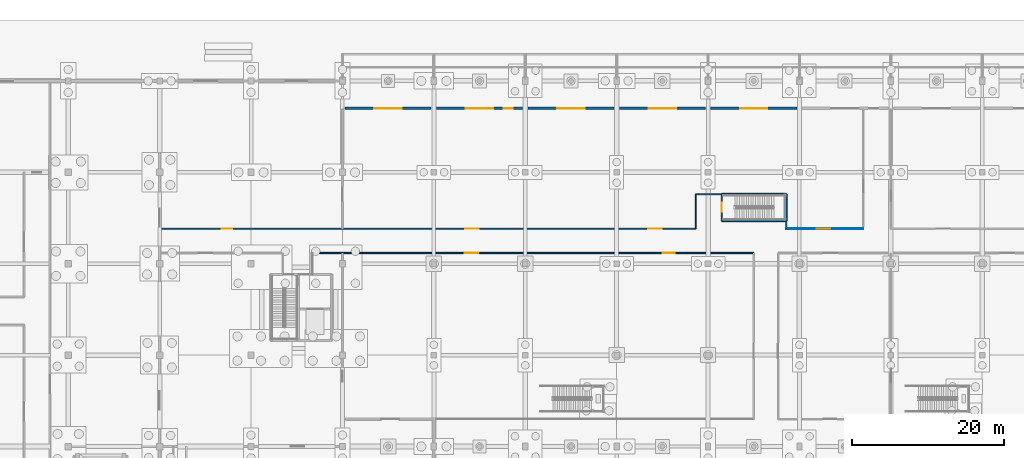
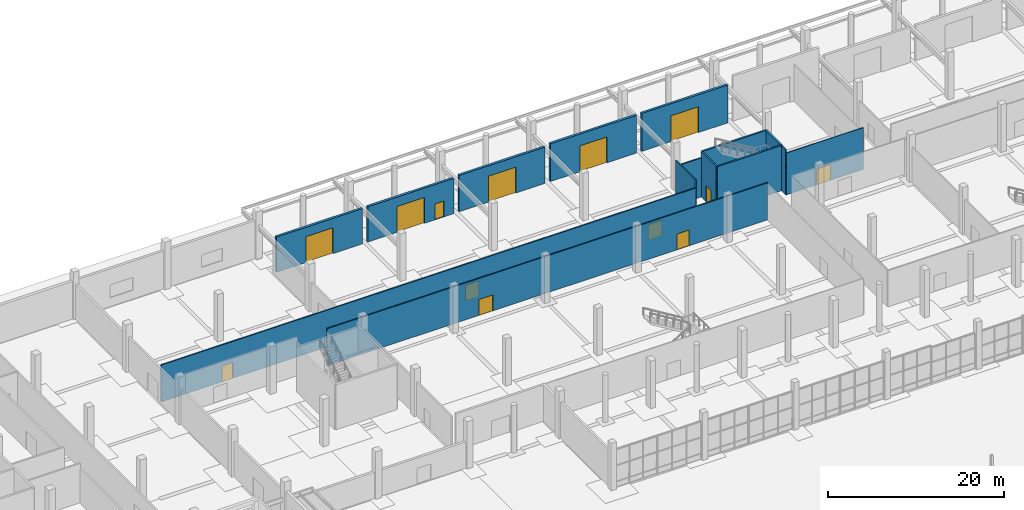
# One storey, part 95 of 117: 15 walls, 13 doors, 13 openings.
"""IFC4 building model written with IfcOpenShell, lengths in metres."""

from ifc_helpers import new_model, si_unit, direction, frame, frame_2d, origin, place, context, subcontext, project, spatial, rectangle, extrude, material, layer, layer_set, type_object, element, fill, save


model = new_model("IFC4")

# Units and contexts
model_context = context("Model", 3, precision=1e-05, world=origin(), true_north=direction((0.0, 1.0)))
body_context = subcontext(model_context, "Body", "Model", "MODEL_VIEW")
ifc_project = project(units=[si_unit("LENGTHUNIT", "METRE"), si_unit("AREAUNIT", "SQUARE_METRE"), si_unit("VOLUMEUNIT", "CUBIC_METRE"), si_unit("PLANEANGLEUNIT", "RADIAN"), si_unit("MASSUNIT", "GRAM", prefix="KILO")], contexts=[model_context])

# Site, building, storey
site_placement = place(None, origin())
site = spatial("IfcSite", under=ifc_project, at=site_placement, CompositionType="ELEMENT")
building_placement = place(site_placement, origin())
building = spatial("IfcBuilding", under=site, at=building_placement, Name="Kamomehara Wholesale Market", CompositionType="ELEMENT")
storey_placement = place(building_placement, origin())
storey = spatial("IfcBuildingStorey", under=building, at=storey_placement, Name="L00", CompositionType="ELEMENT", Elevation=0.0)

# Wall, opening, door
ifc_material_1 = material(Name="Precast concrete Fc45 (C40/50)", Category="concrete")
ifc_layer_1 = layer(ifc_material_1, 0.300048828125)
ifc_layer_set_1 = layer_set([ifc_layer_1], Name="Precast concrete Fc45 (C40/50)")
wall_type_1 = type_object("IfcWallType", Name="EW-PC-300", PredefinedType="SOLIDWALL", material=ifc_layer_set_1)
wall_1_placement = place(storey_placement, frame((60.35009765625, 152.39990234375, 0.0), z_axis=(0.0, 0.0, 1.0), x_axis=(1.0, 0.0, 0.0)))
wall_1 = element("IfcWall", 1, at=wall_1_placement, inside=storey, type_object=wall_type_1, Name="Exterior wall EW-PC-300 58", PredefinedType="SOLIDWALL", context=body_context, shape_type="SweptSolid", body=[
    extrude(rectangle(XDim=11.2998046875, YDim=0.300048828125, at=frame_2d((5.64990234375, 0.0))), origin(), (0.0, 0.0, 1.0), 4.89794921875),
])
opening_1_placement = place(wall_1_placement, frame((3.85009765625, 0.0, 0.0)))
opening_1 = element("IfcOpeningElement", 2, at=opening_1_placement, cuts=wall_1, Name="Opening DK-09", PredefinedType="OPENING", context=body_context, shape_type="SweptSolid", body=[
    extrude(rectangle(XDim=3.60009765625, YDim=3.60009765625, at=frame_2d((1.800048828125, 1.800048828125))), frame((0.0, 0.1650390625, 0.0), z_axis=(0.0, -1.0, 0.0), x_axis=(1.0, 0.0, 0.0)), (0.0, 0.0, 1.0), 0.329833984375),
])
ifc_material_2 = material(Name="Steel SN400B", Category="steel")
door_type_1 = type_object("IfcDoorType", Name="EDR-DK-4000x4200", OperationType="ROLLINGUP", PredefinedType="GATE", material=ifc_material_2)
door_1_placement = place(opening_1_placement, origin())
door_1 = element("IfcDoor", 3, at=door_1_placement, inside=storey, type_object=door_type_1, Name="Produce dock roller shutter DK-09", OperationType="ROLLINGUP", OverallHeight=3.60009765625, OverallWidth=3.60009765625, PredefinedType="GATE", context=body_context, shape_type="SweptSolid", body=[
    extrude(rectangle(XDim=3.60009765625, YDim=3.60009765625, at=frame_2d((1.800048828125, 1.800048828125))), frame((0.0, 0.02490234375, 0.0), z_axis=(0.0, -1.0, 0.0), x_axis=(1.0, 0.0, 0.0)), (0.0, 0.0, 1.0), 0.050048828125),
])
fill(opening_1, door_1)

# Wall, openings, doors
wall_2_placement = place(storey_placement, frame((72.35009765625, 152.39990234375, 0.0), z_axis=(0.0, 0.0, 1.0), x_axis=(1.0, 0.0, 0.0)))
wall_2 = element("IfcWall", 4, at=wall_2_placement, inside=storey, type_object=wall_type_1, Name="Exterior wall EW-PC-300 59", PredefinedType="SOLIDWALL", context=body_context, shape_type="SweptSolid", body=[
    extrude(rectangle(XDim=11.2998046875, YDim=0.300048828125, at=frame_2d((5.64990234375, 0.0))), origin(), (0.0, 0.0, 1.0), 4.89794921875),
])
opening_2_placement = place(wall_2_placement, frame((3.85009765625, 0.0, 0.0)))
opening_2 = element("IfcOpeningElement", 5, at=opening_2_placement, cuts=wall_2, Name="Opening DK-10", PredefinedType="OPENING", context=body_context, shape_type="SweptSolid", body=[
    extrude(rectangle(XDim=3.60009765625, YDim=3.60009765625, at=frame_2d((1.800048828125, 1.800048828125))), frame((0.0, 0.1650390625, 0.0), z_axis=(0.0, -1.0, 0.0), x_axis=(1.0, 0.0, 0.0)), (0.0, 0.0, 1.0), 0.329833984375),
])
opening_3_placement = place(wall_2_placement, frame((8.800048828125, 0.0, 0.0)))
opening_3 = element("IfcOpeningElement", 6, at=opening_3_placement, cuts=wall_2, Name="Opening ED-L00-15", PredefinedType="OPENING", context=body_context, shape_type="SweptSolid", body=[
    extrude(rectangle(XDim=1.199951171875, YDim=2.199951171875, at=frame_2d((0.60009765625, 1.10009765625))), frame((0.0, 0.1650390625, 0.0), z_axis=(0.0, -1.0, 0.0), x_axis=(1.0, 0.0, 0.0)), (0.0, 0.0, 1.0), 0.329833984375),
])
ifc_material_3 = material(Name="Steel SN400B", Category="steel")
door_type_2 = type_object("IfcDoorType", Name="EDR-1200x2200", OperationType="NOTDEFINED", PredefinedType="DOOR", material=ifc_material_3)
door_2_placement = place(opening_3_placement, origin())
door_2 = element("IfcDoor", 7, at=door_2_placement, inside=storey, type_object=door_type_2, Name="Produce hall north exit door ED-L00-15", OperationType="SINGLE_SWING_RIGHT", OverallHeight=2.199951171875, OverallWidth=1.199951171875, PredefinedType="DOOR", context=body_context, shape_type="SweptSolid", body=[
    extrude(rectangle(XDim=1.199951171875, YDim=2.199951171875, at=frame_2d((0.60009765625, 1.10009765625))), frame((0.0, 0.02490234375, 0.0), z_axis=(0.0, -1.0, 0.0), x_axis=(1.0, 0.0, 0.0)), (0.0, 0.0, 1.0), 0.050048828125),
])
fill(opening_3, door_2)
door_3_placement = place(opening_2_placement, origin())
door_3 = element("IfcDoor", 8, at=door_3_placement, inside=storey, type_object=door_type_1, Name="Produce dock roller shutter DK-10", OperationType="ROLLINGUP", OverallHeight=3.60009765625, OverallWidth=3.60009765625, PredefinedType="GATE", context=body_context, shape_type="SweptSolid", body=[
    extrude(rectangle(XDim=3.60009765625, YDim=3.60009765625, at=frame_2d((1.800048828125, 1.800048828125))), frame((0.0, 0.02490234375, 0.0), z_axis=(0.0, -1.0, 0.0), x_axis=(1.0, 0.0, 0.0)), (0.0, 0.0, 1.0), 0.050048828125),
])
fill(opening_2, door_3)

# Wall, opening, door
wall_3_placement = place(storey_placement, frame((84.35009765625, 152.39990234375, 0.0), z_axis=(0.0, 0.0, 1.0), x_axis=(1.0, 0.0, 0.0)))
wall_3 = element("IfcWall", 9, at=wall_3_placement, inside=storey, type_object=wall_type_1, Name="Exterior wall EW-PC-300 60", PredefinedType="SOLIDWALL", context=body_context, shape_type="SweptSolid", body=[
    extrude(rectangle(XDim=11.2998046875, YDim=0.300048828125, at=frame_2d((5.64990234375, 0.0))), origin(), (0.0, 0.0, 1.0), 5.048095703125),
])
opening_4_placement = place(wall_3_placement, frame((3.85009765625, 0.0, 0.0)))
opening_4 = element("IfcOpeningElement", 10, at=opening_4_placement, cuts=wall_3, Name="Opening DK-11", PredefinedType="OPENING", context=body_context, shape_type="SweptSolid", body=[
    extrude(rectangle(XDim=3.60009765625, YDim=3.60009765625, at=frame_2d((1.800048828125, 1.800048828125))), frame((0.0, 0.1650390625, 0.0), z_axis=(0.0, -1.0, 0.0), x_axis=(1.0, 0.0, 0.0)), (0.0, 0.0, 1.0), 0.329833984375),
])
door_4_placement = place(opening_4_placement, origin())
door_4 = element("IfcDoor", 11, at=door_4_placement, inside=storey, type_object=door_type_1, Name="Produce dock roller shutter DK-11", OperationType="ROLLINGUP", OverallHeight=3.60009765625, OverallWidth=3.60009765625, PredefinedType="GATE", context=body_context, shape_type="SweptSolid", body=[
    extrude(rectangle(XDim=3.60009765625, YDim=3.60009765625, at=frame_2d((1.800048828125, 1.800048828125))), frame((0.0, 0.02490234375, 0.0), z_axis=(0.0, -1.0, 0.0), x_axis=(1.0, 0.0, 0.0)), (0.0, 0.0, 1.0), 0.050048828125),
])
fill(opening_4, door_4)

wall_4_placement = place(storey_placement, frame((96.35009765625, 152.39990234375, 0.0), z_axis=(0.0, 0.0, 1.0), x_axis=(1.0, 0.0, 0.0)))
wall_4 = element("IfcWall", 12, at=wall_4_placement, inside=storey, type_object=wall_type_1, Name="Exterior wall EW-PC-300 61", PredefinedType="SOLIDWALL", context=body_context, shape_type="SweptSolid", body=[
    extrude(rectangle(XDim=11.2998046875, YDim=0.300048828125, at=frame_2d((5.64990234375, 0.0))), origin(), (0.0, 0.0, 1.0), 5.248046875),
])
opening_5_placement = place(wall_4_placement, frame((3.85009765625, 0.0, 0.0)))
opening_5 = element("IfcOpeningElement", 13, at=opening_5_placement, cuts=wall_4, Name="Opening DK-12", PredefinedType="OPENING", context=body_context, shape_type="SweptSolid", body=[
    extrude(rectangle(XDim=3.60009765625, YDim=3.60009765625, at=frame_2d((1.800048828125, 1.800048828125))), frame((0.0, 0.1650390625, 0.0), z_axis=(0.0, -1.0, 0.0), x_axis=(1.0, 0.0, 0.0)), (0.0, 0.0, 1.0), 0.329833984375),
])
door_5_placement = place(opening_5_placement, origin())
door_5 = element("IfcDoor", 14, at=door_5_placement, inside=storey, type_object=door_type_1, Name="Produce dock roller shutter DK-12", OperationType="ROLLINGUP", OverallHeight=3.60009765625, OverallWidth=3.60009765625, PredefinedType="GATE", context=body_context, shape_type="SweptSolid", body=[
    extrude(rectangle(XDim=3.60009765625, YDim=3.60009765625, at=frame_2d((1.800048828125, 1.800048828125))), frame((0.0, 0.02490234375, 0.0), z_axis=(0.0, -1.0, 0.0), x_axis=(1.0, 0.0, 0.0)), (0.0, 0.0, 1.0), 0.050048828125),
])
fill(opening_5, door_5)

wall_5_placement = place(storey_placement, frame((108.35009765625, 152.39990234375, 0.0), z_axis=(0.0, 0.0, 1.0), x_axis=(1.0, 0.0, 0.0)))
wall_5 = element("IfcWall", 15, at=wall_5_placement, inside=storey, type_object=wall_type_1, Name="Exterior wall EW-PC-300 62", PredefinedType="SOLIDWALL", context=body_context, shape_type="SweptSolid", body=[
    extrude(rectangle(XDim=11.2998046875, YDim=0.300048828125, at=frame_2d((5.64990234375, 0.0))), origin(), (0.0, 0.0, 1.0), 5.26806640625),
])
opening_6_placement = place(wall_5_placement, frame((3.85009765625, 0.0, 0.0)))
opening_6 = element("IfcOpeningElement", 16, at=opening_6_placement, cuts=wall_5, Name="Opening DK-13", PredefinedType="OPENING", context=body_context, shape_type="SweptSolid", body=[
    extrude(rectangle(XDim=3.60009765625, YDim=3.60009765625, at=frame_2d((1.800048828125, 1.800048828125))), frame((0.0, 0.1650390625, 0.0), z_axis=(0.0, -1.0, 0.0), x_axis=(1.0, 0.0, 0.0)), (0.0, 0.0, 1.0), 0.329833984375),
])
door_6_placement = place(opening_6_placement, origin())
door_6 = element("IfcDoor", 17, at=door_6_placement, inside=storey, type_object=door_type_1, Name="Produce dock roller shutter DK-13", OperationType="ROLLINGUP", OverallHeight=3.60009765625, OverallWidth=3.60009765625, PredefinedType="GATE", context=body_context, shape_type="SweptSolid", body=[
    extrude(rectangle(XDim=3.60009765625, YDim=3.60009765625, at=frame_2d((1.800048828125, 1.800048828125))), frame((0.0, 0.02490234375, 0.0), z_axis=(0.0, -1.0, 0.0), x_axis=(1.0, 0.0, 0.0)), (0.0, 0.0, 1.0), 0.050048828125),
])
fill(opening_6, door_6)

ifc_material_4 = material(Name="Gypsum board partition")
ifc_layer_2 = layer(ifc_material_4, 0.10009765625)
ifc_layer_set_2 = layer_set([ifc_layer_2], Name="Gypsum board partition")
wall_type_2 = type_object("IfcWallType", Name="IW-PRT-100", PredefinedType="PARTITIONING", material=ifc_layer_set_2)
wall_6_placement = place(storey_placement, frame((118.27001953125, 136.60009765625, 0.0), z_axis=(0.0, 0.0, 1.0), x_axis=(1.0, 0.0, 0.0)))
wall_6 = element("IfcWall", 18, at=wall_6_placement, inside=storey, type_object=wall_type_2, Name="Interior wall IW-PRT-100 208", PredefinedType="PARTITIONING", context=body_context, shape_type="SweptSolid", body=[
    extrude(rectangle(XDim=10.1298828125, YDim=0.10009765625, at=frame_2d((5.06494140625, 0.0))), origin(), (0.0, 0.0, 1.0), 5.81298828125),
])
opening_7_placement = place(wall_6_placement, frame((4.0, 0.0, 0.0)))
opening_7 = element("IfcOpeningElement", 19, at=opening_7_placement, cuts=wall_6, Name="Opening ID-L00-124", PredefinedType="OPENING", context=body_context, shape_type="SweptSolid", body=[
    extrude(rectangle(XDim=1.800048828125, YDim=2.199951171875, at=frame_2d((0.89990234375, 1.10009765625))), frame((0.0, 0.06494140625, 0.0), z_axis=(0.0, -1.0, 0.0), x_axis=(1.0, 0.0, 0.0)), (0.0, 0.0, 1.0), 0.1298828125),
])
ifc_material_5 = material(Name="Steel SN400B", Category="steel")
door_type_3 = type_object("IfcDoorType", Name="IDR-FD-1800x2200", OperationType="NOTDEFINED", PredefinedType="DOOR", material=ifc_material_5)
door_7_placement = place(opening_7_placement, origin())
door_7 = element("IfcDoor", 20, at=door_7_placement, inside=storey, type_object=door_type_3, Name="Interior door ID-L00-124", OperationType="SINGLE_SWING_RIGHT", OverallHeight=2.199951171875, OverallWidth=1.800048828125, PredefinedType="DOOR", context=body_context, shape_type="SweptSolid", body=[
    extrude(rectangle(XDim=1.800048828125, YDim=2.199951171875, at=frame_2d((0.89990234375, 1.10009765625))), frame((0.0, 0.02490234375, 0.0), z_axis=(0.0, -1.0, 0.0), x_axis=(1.0, 0.0, 0.0)), (0.0, 0.0, 1.0), 0.050048828125),
])
fill(opening_7, door_7)

# Wall, openings, doors
ifc_material_6 = material(Name="Gypsum board partition")
ifc_layer_3 = layer(ifc_material_6, 0.14990234375)
ifc_layer_set_3 = layer_set([ifc_layer_3], Name="Gypsum board partition")
wall_type_3 = type_object("IfcWallType", Name="IW-PRT-150", PredefinedType="PARTITIONING", material=ifc_layer_set_3)
wall_7_placement = place(storey_placement, frame((56.050048828125, 133.39990234375, 0.0), z_axis=(0.0, 0.0, 1.0), x_axis=(1.0, 0.0, 0.0)))
wall_7 = element("IfcWall", 21, at=wall_7_placement, inside=storey, type_object=wall_type_3, Name="Interior wall IW-PRT-150 199", PredefinedType="PARTITIONING", context=body_context, shape_type="SweptSolid", body=[
    extrude(rectangle(XDim=57.949951171875, YDim=0.14990234375, at=frame_2d((28.97509765625, 0.0))), origin(), (0.0, 0.0, 1.0), 5.133056640625),
])
opening_8_placement = place(wall_7_placement, frame((20.0, 0.0, 0.0)))
opening_8 = element("IfcOpeningElement", 22, at=opening_8_placement, cuts=wall_7, Name="Opening ID-L00-116", PredefinedType="OPENING", context=body_context, shape_type="SweptSolid", body=[
    extrude(rectangle(XDim=1.800048828125, YDim=2.199951171875, at=frame_2d((0.89990234375, 1.10009765625))), frame((0.0, 0.08984375, 0.0), z_axis=(0.0, -1.0, 0.0), x_axis=(1.0, 0.0, 0.0)), (0.0, 0.0, 1.0), 0.1796875),
])
opening_9_placement = place(wall_7_placement, frame((46.0, 0.0, 0.0)))
opening_9 = element("IfcOpeningElement", 23, at=opening_9_placement, cuts=wall_7, Name="Opening ID-L00-117", PredefinedType="OPENING", context=body_context, shape_type="SweptSolid", body=[
    extrude(rectangle(XDim=1.60009765625, YDim=2.199951171875, at=frame_2d((0.800048828125, 1.10009765625))), frame((0.0, 0.08984375, 0.0), z_axis=(0.0, -1.0, 0.0), x_axis=(1.0, 0.0, 0.0)), (0.0, 0.0, 1.0), 0.1796875),
])
ifc_material_7 = material(Name="Steel SN400B", Category="steel")
door_type_4 = type_object("IfcDoorType", Name="IDR-FD-1600x2200", OperationType="NOTDEFINED", PredefinedType="DOOR", material=ifc_material_7)
door_8_placement = place(opening_9_placement, origin())
door_8 = element("IfcDoor", 24, at=door_8_placement, inside=storey, type_object=door_type_4, Name="Interior door ID-L00-117", OperationType="SINGLE_SWING_LEFT", OverallHeight=2.199951171875, OverallWidth=1.60009765625, PredefinedType="DOOR", context=body_context, shape_type="SweptSolid", body=[
    extrude(rectangle(XDim=1.60009765625, YDim=2.199951171875, at=frame_2d((0.800048828125, 1.10009765625))), frame((0.0, 0.02490234375, 0.0), z_axis=(0.0, -1.0, 0.0), x_axis=(1.0, 0.0, 0.0)), (0.0, 0.0, 1.0), 0.050048828125),
])
fill(opening_9, door_8)
door_9_placement = place(opening_8_placement, origin())
door_9 = element("IfcDoor", 25, at=door_9_placement, inside=storey, type_object=door_type_3, Name="Interior door ID-L00-116", OperationType="SINGLE_SWING_RIGHT", OverallHeight=2.199951171875, OverallWidth=1.800048828125, PredefinedType="DOOR", context=body_context, shape_type="SweptSolid", body=[
    extrude(rectangle(XDim=1.800048828125, YDim=2.199951171875, at=frame_2d((0.89990234375, 1.10009765625))), frame((0.0, 0.02490234375, 0.0), z_axis=(0.0, -1.0, 0.0), x_axis=(1.0, 0.0, 0.0)), (0.0, 0.0, 1.0), 0.050048828125),
])
fill(opening_8, door_9)

wall_8_placement = place(storey_placement, frame((36.1201171875, 136.60009765625, 0.0), z_axis=(0.0, 0.0, 1.0), x_axis=(1.0, 0.0, 0.0)))
wall_8 = element("IfcWall", 26, at=wall_8_placement, inside=storey, type_object=wall_type_3, Name="Interior wall IW-PRT-150 204", PredefinedType="PARTITIONING", context=body_context, shape_type="SweptSolid", body=[
    extrude(rectangle(XDim=70.27978515625, YDim=0.14990234375, at=frame_2d((35.139892578125, 0.0))), origin(), (0.0, 0.0, 1.0), 5.133056640625),
])
opening_10_placement = place(wall_8_placement, frame((8.0, 0.0, 0.0)))
opening_10 = element("IfcOpeningElement", 27, at=opening_10_placement, cuts=wall_8, Name="Opening ID-L00-121", PredefinedType="OPENING", context=body_context, shape_type="SweptSolid", body=[
    extrude(rectangle(XDim=1.39990234375, YDim=2.199951171875, at=frame_2d((0.699951171875, 1.10009765625))), frame((0.0, 0.08984375, 0.0), z_axis=(0.0, -1.0, 0.0), x_axis=(1.0, 0.0, 0.0)), (0.0, 0.0, 1.0), 0.1796875),
])
opening_11_placement = place(wall_8_placement, frame((40.0, 0.0, 0.0)))
opening_11 = element("IfcOpeningElement", 28, at=opening_11_placement, cuts=wall_8, Name="Opening ID-L00-122", PredefinedType="OPENING", context=body_context, shape_type="SweptSolid", body=[
    extrude(rectangle(XDim=1.800048828125, YDim=2.199951171875, at=frame_2d((0.89990234375, 1.10009765625))), frame((0.0, 0.08984375, 0.0), z_axis=(0.0, -1.0, 0.0), x_axis=(1.0, 0.0, 0.0)), (0.0, 0.0, 1.0), 0.1796875),
])
opening_12_placement = place(wall_8_placement, frame((64.0, 0.0, 0.0)))
opening_12 = element("IfcOpeningElement", 29, at=opening_12_placement, cuts=wall_8, Name="Opening ID-L00-123", PredefinedType="OPENING", context=body_context, shape_type="SweptSolid", body=[
    extrude(rectangle(XDim=1.800048828125, YDim=2.199951171875, at=frame_2d((0.89990234375, 1.10009765625))), frame((0.0, 0.08984375, 0.0), z_axis=(0.0, -1.0, 0.0), x_axis=(1.0, 0.0, 0.0)), (0.0, 0.0, 1.0), 0.1796875),
])
ifc_material_8 = material(Name="Steel SN400B", Category="steel")
door_type_5 = type_object("IfcDoorType", Name="IDR-FD-1400x2200", OperationType="NOTDEFINED", PredefinedType="DOOR", material=ifc_material_8)
door_10_placement = place(opening_10_placement, origin())
door_10 = element("IfcDoor", 30, at=door_10_placement, inside=storey, type_object=door_type_5, Name="Interior door ID-L00-121", OperationType="SINGLE_SWING_LEFT", OverallHeight=2.199951171875, OverallWidth=1.39990234375, PredefinedType="DOOR", context=body_context, shape_type="SweptSolid", body=[
    extrude(rectangle(XDim=1.39990234375, YDim=2.199951171875, at=frame_2d((0.699951171875, 1.10009765625))), frame((0.0, 0.02490234375, 0.0), z_axis=(0.0, -1.0, 0.0), x_axis=(1.0, 0.0, 0.0)), (0.0, 0.0, 1.0), 0.050048828125),
])
fill(opening_10, door_10)
door_11_placement = place(opening_11_placement, origin())
door_11 = element("IfcDoor", 31, at=door_11_placement, inside=storey, type_object=door_type_3, Name="Interior door ID-L00-122", OperationType="SINGLE_SWING_RIGHT", OverallHeight=2.199951171875, OverallWidth=1.800048828125, PredefinedType="DOOR", context=body_context, shape_type="SweptSolid", body=[
    extrude(rectangle(XDim=1.800048828125, YDim=2.199951171875, at=frame_2d((0.89990234375, 1.10009765625))), frame((0.0, 0.02490234375, 0.0), z_axis=(0.0, -1.0, 0.0), x_axis=(1.0, 0.0, 0.0)), (0.0, 0.0, 1.0), 0.050048828125),
])
fill(opening_11, door_11)
door_12_placement = place(opening_12_placement, origin())
door_12 = element("IfcDoor", 32, at=door_12_placement, inside=storey, type_object=door_type_3, Name="Interior door ID-L00-123", OperationType="SINGLE_SWING_LEFT", OverallHeight=2.199951171875, OverallWidth=1.800048828125, PredefinedType="DOOR", context=body_context, shape_type="SweptSolid", body=[
    extrude(rectangle(XDim=1.800048828125, YDim=2.199951171875, at=frame_2d((0.89990234375, 1.10009765625))), frame((0.0, 0.02490234375, 0.0), z_axis=(0.0, -1.0, 0.0), x_axis=(1.0, 0.0, 0.0)), (0.0, 0.0, 1.0), 0.050048828125),
])
fill(opening_12, door_12)

# Walls
wall_9_placement = place(storey_placement, frame((106.39990234375, 136.60009765625, 0.0), z_axis=(0.0, 0.0, 1.0), x_axis=(0.0, 1.0, 0.0)))
element("IfcWall", 33, at=wall_9_placement, inside=storey, type_object=wall_type_3, Name="Interior wall IW-PRT-150 205", PredefinedType="PARTITIONING", context=body_context, shape_type="SweptSolid", body=[
    extrude(rectangle(XDim=4.52001953125, YDim=0.14990234375, at=frame_2d((2.260009765625, 0.0))), origin(), (0.0, 0.0, 1.0), 6.25),
])
wall_10_placement = place(storey_placement, frame((106.39990234375, 141.1201171875, 0.0), z_axis=(0.0, 0.0, 1.0), x_axis=(1.0, 0.0, 0.0)))
element("IfcWall", 34, at=wall_10_placement, inside=storey, type_object=wall_type_3, Name="Interior wall IW-PRT-150 206", PredefinedType="PARTITIONING", context=body_context, shape_type="SweptSolid", body=[
    extrude(rectangle(XDim=3.400146484375, YDim=0.14990234375, at=frame_2d((1.7001953125, 0.0))), origin(), (0.0, 0.0, 1.0), 5.4130859375),
])
wall_11_placement = place(storey_placement, frame((118.27001953125, 136.60009765625, 0.0), z_axis=(0.0, 0.0, 1.0), x_axis=(0.0, 1.0, 0.0)))
element("IfcWall", 35, at=wall_11_placement, inside=storey, type_object=wall_type_3, Name="Interior wall IW-PRT-150 207", PredefinedType="PARTITIONING", context=body_context, shape_type="SweptSolid", body=[
    extrude(rectangle(XDim=1.039794921875, YDim=0.14990234375, at=frame_2d((0.52001953125, 0.0))), origin(), (0.0, 0.0, 1.0), 6.25),
])

# Wall, opening, door
ifc_material_9 = material(Name="Concrete Fc36 (C35/45)", Category="concrete")
ifc_layer_4 = layer(ifc_material_9, 0.219970703125)
ifc_layer_set_4 = layer_set([ifc_layer_4], Name="Concrete Fc36 (C35/45)")
wall_type_4 = type_object("IfcWallType", Name="IW-SHR-220", PredefinedType="SHEAR", material=ifc_layer_set_4)
wall_12_placement = place(storey_placement, frame((109.800048828125, 141.1201171875, 0.0), z_axis=(0.0, 0.0, 1.0), x_axis=(0.0, -1.0, 0.0)))
wall_12 = element("IfcWall", 36, at=wall_12_placement, inside=storey, type_object=wall_type_4, Name="Interior wall IW-SHR-220 163", PredefinedType="SHEAR", context=body_context, shape_type="SweptSolid", body=[
    extrude(rectangle(XDim=3.480224609375, YDim=0.219970703125, at=frame_2d((1.740234375, 0.0))), origin(), (0.0, 0.0, 1.0), 6.280029296875),
])
opening_13_placement = place(wall_12_placement, frame((1.10009765625, 0.0, 0.0)))
opening_13 = element("IfcOpeningElement", 37, at=opening_13_placement, cuts=wall_12, Name="Opening FD-ST-13-L00", PredefinedType="OPENING", context=body_context, shape_type="SweptSolid", body=[
    extrude(rectangle(XDim=1.199951171875, YDim=2.199951171875, at=frame_2d((0.60009765625, 1.10009765625))), frame((0.0, 0.125, 0.0), z_axis=(0.0, -1.0, 0.0), x_axis=(1.0, 0.0, 0.0)), (0.0, 0.0, 1.0), 0.249755859375),
])
ifc_material_10 = material(Name="Steel SN400B", Category="steel")
door_type_6 = type_object("IfcDoorType", Name="IDR-FD-1200x2200", OperationType="NOTDEFINED", PredefinedType="DOOR", material=ifc_material_10)
door_13_placement = place(opening_13_placement, origin())
door_13 = element("IfcDoor", 38, at=door_13_placement, inside=storey, type_object=door_type_6, Name="Stair fire door FD-ST-13-L00", OperationType="SINGLE_SWING_LEFT", OverallHeight=2.199951171875, OverallWidth=1.199951171875, PredefinedType="DOOR", context=body_context, shape_type="SweptSolid", body=[
    extrude(rectangle(XDim=1.199951171875, YDim=2.199951171875, at=frame_2d((0.60009765625, 1.10009765625))), frame((0.0, 0.02490234375, 0.0), z_axis=(0.0, -1.0, 0.0), x_axis=(1.0, 0.0, 0.0)), (0.0, 0.0, 1.0), 0.050048828125),
])
fill(opening_13, door_13)

# Walls
wall_13_placement = place(storey_placement, frame((109.800048828125, 137.639892578125, 0.0), z_axis=(0.0, 0.0, 1.0), x_axis=(1.0, 0.0, 0.0)))
element("IfcWall", 39, at=wall_13_placement, inside=storey, type_object=wall_type_4, Name="Interior wall IW-SHR-220 164", PredefinedType="SHEAR", context=body_context, shape_type="SweptSolid", body=[
    extrude(rectangle(XDim=8.469970703125, YDim=0.219970703125, at=frame_2d((4.23486328125, 0.0))), origin(), (0.0, 0.0, 1.0), 6.280029296875),
])
wall_14_placement = place(storey_placement, frame((118.27001953125, 137.639892578125, 0.0), z_axis=(0.0, 0.0, 1.0), x_axis=(0.0, 1.0, 0.0)))
element("IfcWall", 40, at=wall_14_placement, inside=storey, type_object=wall_type_4, Name="Interior wall IW-SHR-220 165", PredefinedType="SHEAR", context=body_context, shape_type="SweptSolid", body=[
    extrude(rectangle(XDim=3.480224609375, YDim=0.219970703125, at=frame_2d((1.740234375, 0.0))), origin(), (0.0, 0.0, 1.0), 6.280029296875),
])
wall_15_placement = place(storey_placement, frame((118.27001953125, 141.1201171875, 0.0), z_axis=(0.0, 0.0, 1.0), x_axis=(-1.0, 0.0, 0.0)))
element("IfcWall", 41, at=wall_15_placement, inside=storey, type_object=wall_type_4, Name="Interior wall IW-SHR-220 166", PredefinedType="SHEAR", context=body_context, shape_type="SweptSolid", body=[
    extrude(rectangle(XDim=8.469970703125, YDim=0.219970703125, at=frame_2d((4.23486328125, 0.0))), origin(), (0.0, 0.0, 1.0), 6.280029296875),
])

save(model, "model.ifc")
